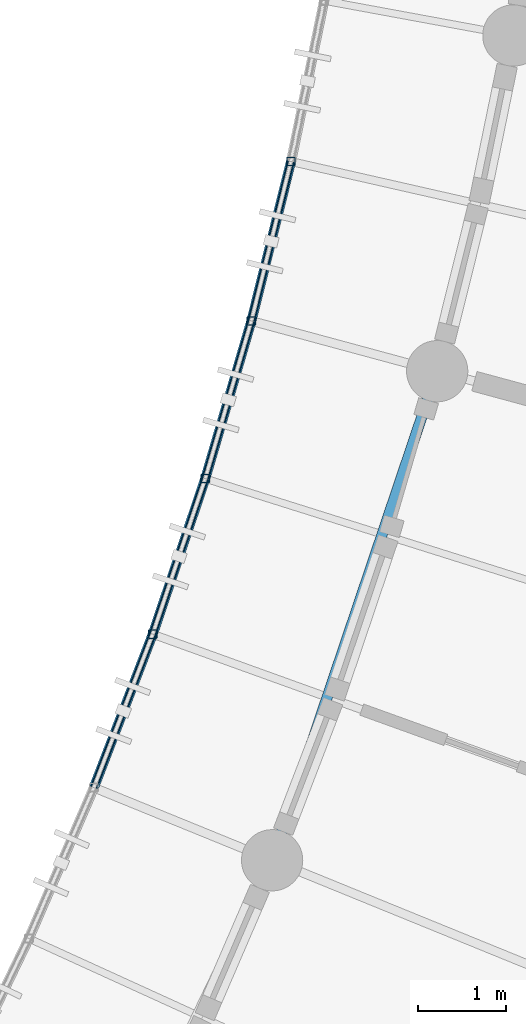
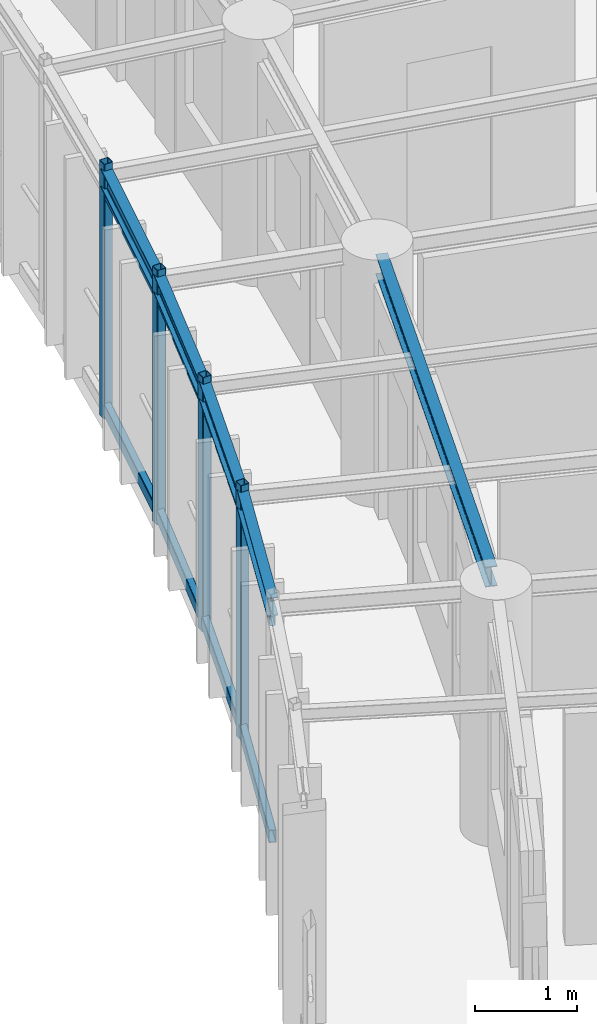
# One storey, part 26 of 137: 12 members, 5 beams.
"""IFC4 building model written with IfcOpenShell, lengths in metres."""

from ifc_helpers import new_model, si_unit, direction, frame, origin, origin_2d, place, context, subcontext, project, spatial, hollow_rectangle, i_section, extrude, material, material_profile, profile_set, type_object, element, save


model = new_model("IFC4")

# Units and contexts
model_context = context("Model", 3, precision=1e-05, world=origin(), true_north=direction((0.0, 1.0)))
body_context = subcontext(model_context, "Body", "Model", "MODEL_VIEW")
ifc_project = project(units=[si_unit("LENGTHUNIT", "METRE"), si_unit("AREAUNIT", "SQUARE_METRE"), si_unit("VOLUMEUNIT", "CUBIC_METRE"), si_unit("PLANEANGLEUNIT", "RADIAN"), si_unit("MASSUNIT", "GRAM", prefix="KILO"), si_unit("POWERUNIT", "WATT"), si_unit("THERMODYNAMICTEMPERATUREUNIT", "KELVIN")], contexts=[model_context])

# Site, building, storey
site_placement = place(None, origin())
site = spatial("IfcSite", under=ifc_project, at=site_placement, CompositionType="ELEMENT")
building_placement = place(site_placement, origin())
building = spatial("IfcBuilding", under=site, at=building_placement, Name="Ruvembo Vaulted Housing Court", CompositionType="ELEMENT")
storey_placement = place(building_placement, frame((0.0, 0.0, 4.5)))
storey = spatial("IfcBuildingStorey", under=building, at=storey_placement, Name="L01", CompositionType="ELEMENT", Elevation=4.5)

# Beams
ifc_material = material(Name="Steel S355J2", Category="steel")
ifc_material_profile_1 = material_profile(ifc_material, i_section(OverallWidth=0.110107421875, OverallDepth=0.219970703125, WebThickness=0.005859375, FlangeThickness=0.00927734375, FilletRadius=0.011962890625, at=origin_2d()), Name="IPE 220")
ifc_profile_set_1 = profile_set([ifc_material_profile_1], Name="Steel S355J2")
beam_type_1 = type_object("IfcBeamType", Name="BM-ST-IPE220", PredefinedType="SPANDREL", material=ifc_profile_set_1)
beam_1_placement = place(storey_placement, frame((44.41259765625, 56.714111328125, 2.830078125), z_axis=(0.358368836189, 0.933580086146, 0.0), x_axis=(-0.933580086146, 0.358368836189, 0.0)))
element("IfcBeam", 1, at=beam_1_placement, inside=storey, type_object=beam_type_1, Name="Scoop SC1 L01 Balcony Edge Spandrel 9", PredefinedType="SPANDREL", context=body_context, shape_type="SweptSolid", body=[
    extrude(i_section(OverallWidth=0.110107421875, OverallDepth=0.219970703125, WebThickness=0.005859375, FlangeThickness=0.00927734375, FilletRadius=0.011962890625, at=origin_2d()), origin(), (0.0, 0.0, 1.0), 1.876953125),
])
beam_2_placement = place(storey_placement, frame((45.085205078125, 58.46630859375, 2.830078125), z_axis=(0.319933403304, 0.947440033696, 0.0), x_axis=(-0.947440033696, 0.319933403304, 0.0)))
element("IfcBeam", 2, at=beam_2_placement, inside=storey, type_object=beam_type_1, Name="Scoop SC1 L01 Balcony Edge Spandrel 10", PredefinedType="SPANDREL", context=body_context, shape_type="SweptSolid", body=[
    extrude(i_section(OverallWidth=0.110107421875, OverallDepth=0.219970703125, WebThickness=0.005859375, FlangeThickness=0.00927734375, FilletRadius=0.011962890625, at=origin_2d()), origin(), (0.0, 0.0, 1.0), 1.87646484375),
])
for number, where, z_axis, x_axis, name in (
    (3, (45.685546875, 60.244140625, 2.830078125), (0.280729242843, 0.959787003565, 0.0), (-0.959787003565, 0.280729242843, 0.0), "Scoop SC1 L01 Balcony Edge Spandrel 11"),
    (4, (46.21240234375, 62.04541015625, 2.830078125), (0.241066038615, 0.970508714555, 0.0), (-0.970508714555, 0.241066038615, 0.0), "Scoop SC1 L01 Balcony Edge Spandrel 12"),
):
    element("IfcBeam", number, at=place(storey_placement, frame(where, z_axis=z_axis, x_axis=x_axis)), inside=storey, type_object=beam_type_1, Name=name, PredefinedType="SPANDREL", context=body_context, shape_type="SweptSolid", body=[
        extrude(i_section(OverallWidth=0.110107421875, OverallDepth=0.219970703125, WebThickness=0.005859375, FlangeThickness=0.00927734375, FilletRadius=0.011962890625, at=origin_2d()), origin(), (0.0, 0.0, 1.0), 1.876708984375),
    ])
ifc_material_profile_2 = material_profile(ifc_material, i_section(OverallWidth=0.1201171875, OverallDepth=0.239990234375, WebThickness=0.006103515625, FlangeThickness=0.009765625, FilletRadius=0.014892578125, at=origin_2d()), Name="IPE 240")
ifc_profile_set_2 = profile_set([ifc_material_profile_2], Name="Steel S355J2")
beam_type_2 = type_object("IfcBeamType", Name="BM-ST-IPE240", PredefinedType="BEAM", material=ifc_profile_set_2)
beam_3_placement = place(storey_placement, frame((46.523681640625, 56.101806640625, 2.822021484375), z_axis=(0.319795272314, 0.947486666822, 0.0), x_axis=(-0.947486666822, 0.319795272314, 0.0)))
element("IfcBeam", 5, at=beam_3_placement, inside=storey, type_object=beam_type_2, Name="Scoop SC1 L01 Chord Girder F9", PredefinedType="BEAM", context=body_context, shape_type="SweptSolid", body=[
    extrude(i_section(OverallWidth=0.1201171875, OverallDepth=0.239990234375, WebThickness=0.006103515625, FlangeThickness=0.009765625, FilletRadius=0.014892578125, at=origin_2d()), origin(), (0.0, 0.0, 1.0), 5.43701171875),
])

# Members
ifc_material_profile_3 = material_profile(ifc_material, hollow_rectangle(XDim=0.06005859375, YDim=0.1201171875, WallThickness=0.0048828125, InnerFilletRadius=0.0048828125, OuterFilletRadius=0.010009765625, at=origin_2d()), Name="RHS 120x60x5")
ifc_profile_set_3 = profile_set([ifc_material_profile_3], Name="Steel S355J2")
member_type_1 = type_object("IfcMemberType", Name="MEM-CAR-RHS120", PredefinedType="CHORD", material=ifc_profile_set_3)
member_1_placement = place(storey_placement, frame((44.41259765625, 56.714111328125, 2.6630859375), z_axis=(0.358368836189, 0.933580086146, 0.0), x_axis=(-0.933580086146, 0.358368836189, 0.0)))
element("IfcMember", 6, at=member_1_placement, inside=storey, type_object=member_type_1, Name="Scoop SC1 L01 Upper Louvre Carrier Rail 9", PredefinedType="CHORD", context=body_context, shape_type="SweptSolid", body=[
    extrude(hollow_rectangle(XDim=0.06005859375, YDim=0.1201171875, WallThickness=0.0048828125, InnerFilletRadius=0.0048828125, OuterFilletRadius=0.010009765625, at=origin_2d()), origin(), (0.0, 0.0, 1.0), 1.876953125),
])
member_2_placement = place(storey_placement, frame((45.085205078125, 58.46630859375, 2.6630859375), z_axis=(0.319933403304, 0.947440033696, 0.0), x_axis=(-0.947440033696, 0.319933403304, 0.0)))
element("IfcMember", 7, at=member_2_placement, inside=storey, type_object=member_type_1, Name="Scoop SC1 L01 Upper Louvre Carrier Rail 10", PredefinedType="CHORD", context=body_context, shape_type="SweptSolid", body=[
    extrude(hollow_rectangle(XDim=0.06005859375, YDim=0.1201171875, WallThickness=0.0048828125, InnerFilletRadius=0.0048828125, OuterFilletRadius=0.010009765625, at=origin_2d()), origin(), (0.0, 0.0, 1.0), 1.87646484375),
])
for number, where, z_axis, x_axis, name in (
    (8, (45.685546875, 60.244140625, 2.6630859375), (0.280729242843, 0.959787003565, 0.0), (-0.959787003565, 0.280729242843, 0.0), "Scoop SC1 L01 Upper Louvre Carrier Rail 11"),
    (9, (46.21240234375, 62.04541015625, 2.6630859375), (0.241066038615, 0.970508714555, 0.0), (-0.970508714555, 0.241066038615, 0.0), "Scoop SC1 L01 Upper Louvre Carrier Rail 12"),
):
    element("IfcMember", number, at=place(storey_placement, frame(where, z_axis=z_axis, x_axis=x_axis)), inside=storey, type_object=member_type_1, Name=name, PredefinedType="CHORD", context=body_context, shape_type="SweptSolid", body=[
        extrude(hollow_rectangle(XDim=0.06005859375, YDim=0.1201171875, WallThickness=0.0048828125, InnerFilletRadius=0.0048828125, OuterFilletRadius=0.010009765625, at=origin_2d()), origin(), (0.0, 0.0, 1.0), 1.876708984375),
    ])
ifc_material_profile_4 = material_profile(ifc_material, hollow_rectangle(XDim=0.080078125, YDim=0.14990234375, WallThickness=0.00634765625, InnerFilletRadius=0.00634765625, OuterFilletRadius=0.0126953125, at=origin_2d()), Name="RHS 150x80x6.3")
ifc_profile_set_4 = profile_set([ifc_material_profile_4], Name="Steel S355J2")
member_type_2 = type_object("IfcMemberType", Name="MEM-CAR-RHS150", PredefinedType="CHORD", material=ifc_profile_set_4)
member_3_placement = place(storey_placement, frame((44.41259765625, 56.714111328125, 0.094970703125), z_axis=(0.358368836189, 0.933580086146, 0.0), x_axis=(-0.933580086146, 0.358368836189, 0.0)))
element("IfcMember", 10, at=member_3_placement, inside=storey, type_object=member_type_2, Name="Scoop SC1 L01 Lower Louvre Carrier Rail 9", PredefinedType="CHORD", context=body_context, shape_type="SweptSolid", body=[
    extrude(hollow_rectangle(XDim=0.080078125, YDim=0.14990234375, WallThickness=0.00634765625, InnerFilletRadius=0.00634765625, OuterFilletRadius=0.0126953125, at=origin_2d()), origin(), (0.0, 0.0, 1.0), 1.876953125),
])
member_4_placement = place(storey_placement, frame((45.085205078125, 58.46630859375, 0.094970703125), z_axis=(0.319933403304, 0.947440033696, 0.0), x_axis=(-0.947440033696, 0.319933403304, 0.0)))
element("IfcMember", 11, at=member_4_placement, inside=storey, type_object=member_type_2, Name="Scoop SC1 L01 Lower Louvre Carrier Rail 10", PredefinedType="CHORD", context=body_context, shape_type="SweptSolid", body=[
    extrude(hollow_rectangle(XDim=0.080078125, YDim=0.14990234375, WallThickness=0.00634765625, InnerFilletRadius=0.00634765625, OuterFilletRadius=0.0126953125, at=origin_2d()), origin(), (0.0, 0.0, 1.0), 1.87646484375),
])
for number, where, z_axis, x_axis, name in (
    (12, (45.685546875, 60.244140625, 0.094970703125), (0.280729242843, 0.959787003565, 0.0), (-0.959787003565, 0.280729242843, 0.0), "Scoop SC1 L01 Lower Louvre Carrier Rail 11"),
    (13, (46.21240234375, 62.04541015625, 0.094970703125), (0.241066038615, 0.970508714555, 0.0), (-0.970508714555, 0.241066038615, 0.0), "Scoop SC1 L01 Lower Louvre Carrier Rail 12"),
):
    element("IfcMember", number, at=place(storey_placement, frame(where, z_axis=z_axis, x_axis=x_axis)), inside=storey, type_object=member_type_2, Name=name, PredefinedType="CHORD", context=body_context, shape_type="SweptSolid", body=[
        extrude(hollow_rectangle(XDim=0.080078125, YDim=0.14990234375, WallThickness=0.00634765625, InnerFilletRadius=0.00634765625, OuterFilletRadius=0.0126953125, at=origin_2d()), origin(), (0.0, 0.0, 1.0), 1.876708984375),
    ])
ifc_material_profile_5 = material_profile(ifc_material, hollow_rectangle(XDim=0.10009765625, YDim=0.10009765625, WallThickness=0.00634765625, InnerFilletRadius=0.00634765625, OuterFilletRadius=0.0126953125, at=origin_2d()), Name="SHS 100x100x6.3")
ifc_profile_set_5 = profile_set([ifc_material_profile_5], Name="Steel S355J2")
member_type_3 = type_object("IfcMemberType", Name="MEM-FRM-SHS100", PredefinedType="STRUT", material=ifc_profile_set_5)
for number, where, z_axis, x_axis, name in (
    (14, (45.085205078125, 58.46630859375, -0.014892578125), (0.0, 0.0, 1.0), (1.0, 0.0, 0.0), "Scoop SC1 L01 Louvre Frame Post 10"),
    (15, (45.685546875, 60.244140625, -0.014892578125), (0.0, 0.0, 1.0), (1.0, 0.0, 0.0), "Scoop SC1 L01 Louvre Frame Post 11"),
    (16, (46.21240234375, 62.04541015625, -0.014892578125), (0.0, 0.0, 1.0), (1.0, 0.0, 0.0), "Scoop SC1 L01 Louvre Frame Post 12"),
    (17, (46.664794921875, 63.86669921875, -0.014892578125), (0.0, 0.0, 1.0), (1.0, 0.0, 0.0), "Scoop SC1 L01 Louvre Frame Post 13"),
):
    element("IfcMember", number, at=place(storey_placement, frame(where, z_axis=z_axis, x_axis=x_axis)), inside=storey, type_object=member_type_3, Name=name, PredefinedType="STRUT", context=body_context, shape_type="SweptSolid", body=[
        extrude(hollow_rectangle(XDim=0.10009765625, YDim=0.10009765625, WallThickness=0.00634765625, InnerFilletRadius=0.00634765625, OuterFilletRadius=0.0126953125, at=origin_2d()), origin(), (0.0, 0.0, 1.0), 3.032958984375),
    ])

save(model, "model.ifc")
